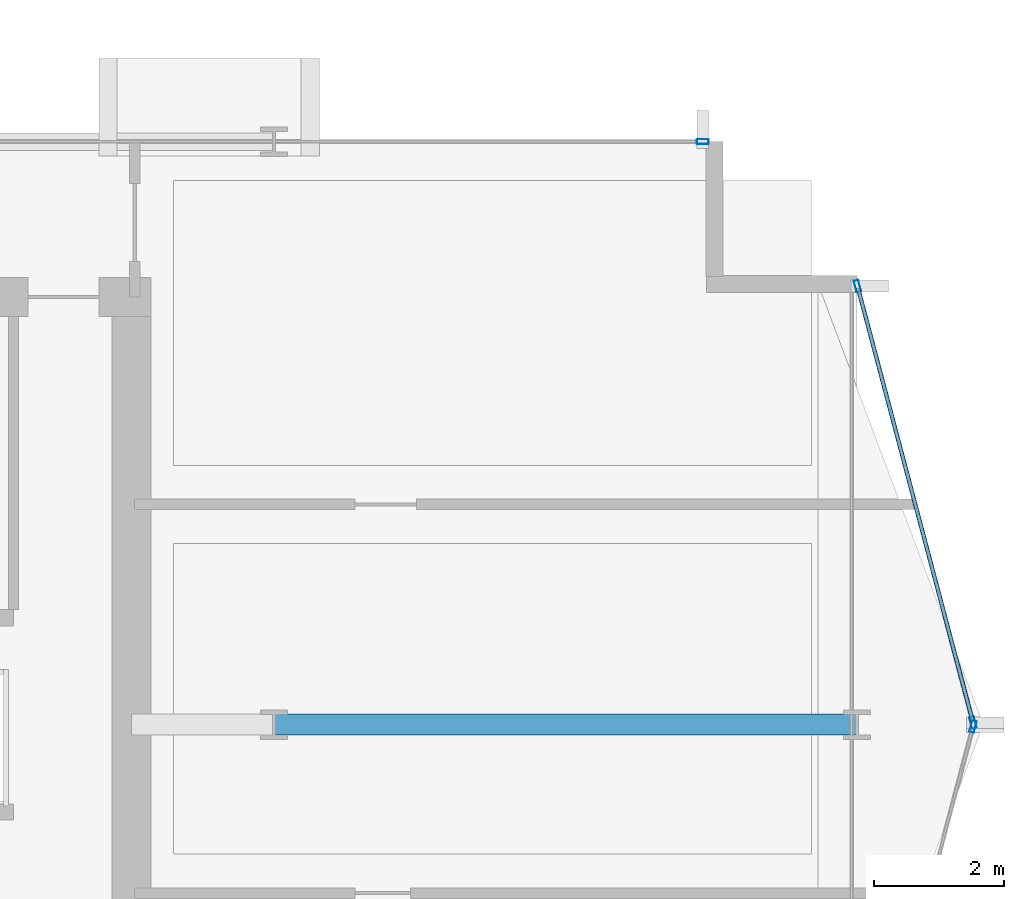
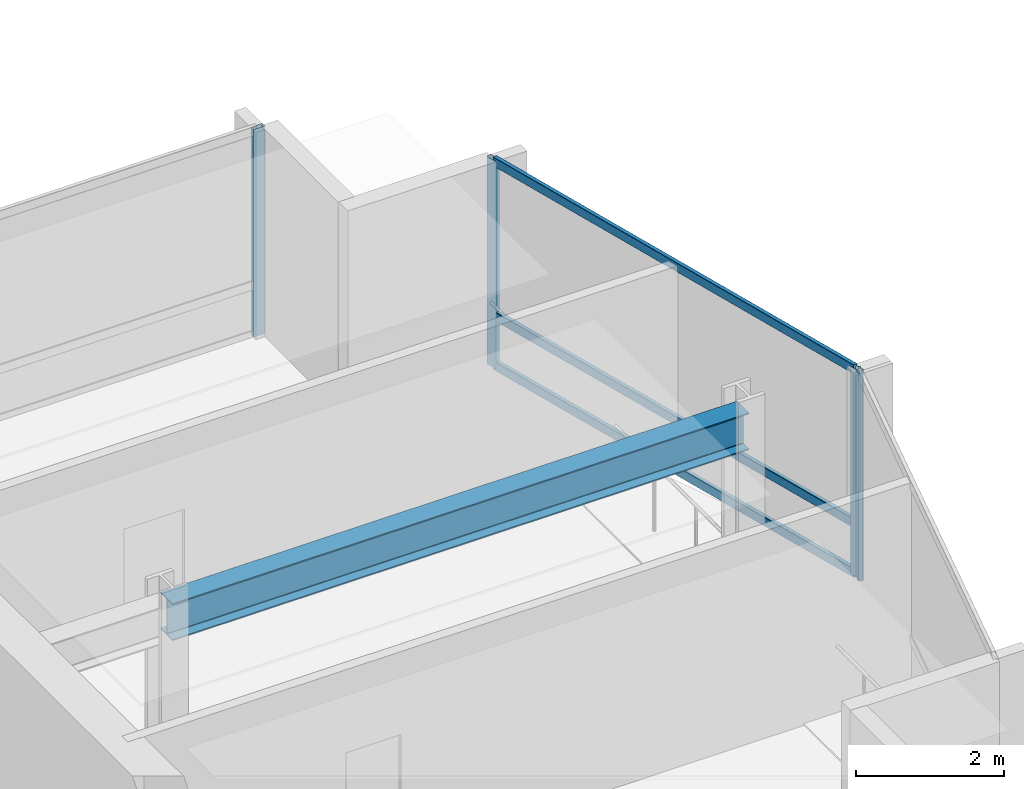
# One storey, part 14 of 29: 7 members, 1 beam, 3 elements without a shape of their own.
"""IFC4 building model written with IfcOpenShell, lengths in metres."""

from ifc_helpers import new_model, si_unit, direction, frame, origin, origin_2d, place, context, subcontext, project, spatial, hollow_rectangle, i_section, extrude, material, layer, layer_set, material_profile, profile_set, type_object, element, aggregate, save


model = new_model("IFC4")

# Units and contexts
model_context = context("Model", 3, precision=1e-05, world=origin(), true_north=direction((0.0, 1.0)))
body_context = subcontext(model_context, "Body", "Model", "MODEL_VIEW")
ifc_project = project(units=[si_unit("LENGTHUNIT", "METRE"), si_unit("AREAUNIT", "SQUARE_METRE"), si_unit("VOLUMEUNIT", "CUBIC_METRE"), si_unit("PLANEANGLEUNIT", "RADIAN"), si_unit("MASSUNIT", "GRAM", prefix="KILO")], contexts=[model_context])

# Site, building, storey
site_placement = place(None, origin())
site = spatial("IfcSite", under=ifc_project, at=site_placement, CompositionType="ELEMENT")
building_placement = place(site_placement, origin())
building = spatial("IfcBuilding", under=site, at=building_placement, Name="Solvaryn Broadcast Tower", CompositionType="ELEMENT")
storey_placement = place(building_placement, frame((0.0, 0.0, 113.699951171875)))
storey = spatial("IfcBuildingStorey", under=building, at=storey_placement, Name="L27", CompositionType="ELEMENT", Elevation=113.699951171875)

# Beam
ifc_material_1 = material(Name="Steel ASTM A992 Grade 50", Category="steel")
ifc_material_profile_1 = material_profile(ifc_material_1, i_section(OverallWidth=0.323974609375, OverallDepth=0.611083984375, WebThickness=0.0126953125, FlangeThickness=0.01904296875, FilletRadius=0.014892578125, at=origin_2d()))
ifc_profile_set_1 = profile_set([ifc_material_profile_1], Name="Steel ASTM A992 Grade 50")
beam_type = type_object("IfcBeamType", Name="BM-B1-W24X104", PredefinedType="BEAM", material=ifc_profile_set_1)
beam_placement = place(storey_placement, frame((45.0, 18.0, 3.114501953125), z_axis=(1.0, 0.0, 0.0), x_axis=(0.0, 1.0, 0.0)))
element("IfcBeam", 1, at=beam_placement, inside=storey, type_object=beam_type, Name="L27 Primary Beam X (45-54 @ Y=18)", PredefinedType="BEAM", context=body_context, shape_type="SweptSolid", body=[
    extrude(i_section(OverallWidth=0.323974609375, OverallDepth=0.611083984375, WebThickness=0.0126953125, FlangeThickness=0.01904296875, FilletRadius=0.014892578125, at=origin_2d()), origin(), (0.0, 0.0, 1.0), 9.0),
])

# Curtain wall, members
ifc_material_2 = material(Name="Aluminium and Terracotta Unitised Curtain Wall", Category="masonry")
ifc_layer = layer(ifc_material_2, 0.199951171875)
ifc_layer_set = layer_set([ifc_layer], Name="CW-SYS2-LOWMID")
curtain_wall_type = type_object("IfcCurtainWallType", Name="CW-SYS2-LOWMID", PredefinedType="NOTDEFINED", material=ifc_layer_set)
curtain_wall_1_placement = place(storey_placement, origin())
curtain_wall_1 = element("IfcCurtainWall", 2, at=curtain_wall_1_placement, inside=storey, type_object=curtain_wall_type, Name="L27 Curtain Wall ET1", PredefinedType="NOTDEFINED")
ifc_material_3 = material(Name="Anodised Aluminium 6063-T6", Category="aluminium")
ifc_material_profile_2 = material_profile(ifc_material_3, hollow_rectangle(XDim=0.074951171875, YDim=0.179931640625, WallThickness=0.00390625, InnerFilletRadius=0.00390625, OuterFilletRadius=0.008056640625, at=origin_2d()))
ifc_profile_set_2 = profile_set([ifc_material_profile_2], Name="Anodised Aluminium 6063-T6")
member_type_1 = type_object("IfcMemberType", Name="CW-MUL-180", PredefinedType="MULLION", material=ifc_profile_set_2)
member_1_placement = place(storey_placement, frame((54.007568359375, 24.77099609375, 0.0), z_axis=(0.0, 0.0, 1.0), x_axis=(0.966705227863, 0.25589256031, 0.0)))
member_1 = element("IfcMember", 3, at=member_1_placement, type_object=member_type_1, Name="CWS2 mullion 1", PredefinedType="MULLION", context=body_context, shape_type="SweptSolid", body=[
    extrude(hollow_rectangle(XDim=0.074951171875, YDim=0.179931640625, WallThickness=0.00390625, InnerFilletRadius=0.00390625, OuterFilletRadius=0.008056640625, at=origin_2d()), origin(), (0.0, 0.0, 1.0), 3.420166015625),
])
member_2_placement = place(storey_placement, frame((55.792236328125, 18.029052734375, 0.0), z_axis=(0.0, 0.0, 1.0), x_axis=(0.966705227863, 0.25589256031, 0.0)))
member_2 = element("IfcMember", 4, at=member_2_placement, type_object=member_type_1, Name="CWS2 mullion 2", PredefinedType="MULLION", context=body_context, shape_type="SweptSolid", body=[
    extrude(hollow_rectangle(XDim=0.074951171875, YDim=0.179931640625, WallThickness=0.00390625, InnerFilletRadius=0.00390625, OuterFilletRadius=0.008056640625, at=origin_2d()), origin(), (0.0, 0.0, 1.0), 3.420166015625),
])

# Curtain wall, member
curtain_wall_2_placement = place(storey_placement, origin())
curtain_wall_2 = element("IfcCurtainWall", 5, at=curtain_wall_2_placement, inside=storey, type_object=curtain_wall_type, Name="L27 Curtain Wall ET2", PredefinedType="NOTDEFINED")
member_3_placement = place(storey_placement, frame((55.792236328125, 17.970947265625, 0.0), z_axis=(0.0, 0.0, 1.0), x_axis=(0.966705227863, -0.25589256031, 0.0)))
member_3 = element("IfcMember", 6, at=member_3_placement, type_object=member_type_1, Name="CWS2 mullion 1", PredefinedType="MULLION", context=body_context, shape_type="SweptSolid", body=[
    extrude(hollow_rectangle(XDim=0.074951171875, YDim=0.179931640625, WallThickness=0.00390625, InnerFilletRadius=0.00390625, OuterFilletRadius=0.008056640625, at=origin_2d()), origin(), (0.0, 0.0, 1.0), 3.420166015625),
])
aggregate(curtain_wall_2, [member_3])

curtain_wall_3_placement = place(storey_placement, origin())
curtain_wall_3 = element("IfcCurtainWall", 7, at=curtain_wall_3_placement, inside=storey, type_object=curtain_wall_type, Name="L27 Curtain Wall IH", PredefinedType="NOTDEFINED")
member_4_placement = place(storey_placement, frame((51.6201171875, 27.0, 0.0), z_axis=(0.0, 0.0, 1.0), x_axis=(0.0, 1.0, 0.0)))
member_4 = element("IfcMember", 8, at=member_4_placement, type_object=member_type_1, Name="CWS2 mullion 2", PredefinedType="MULLION", context=body_context, shape_type="SweptSolid", body=[
    extrude(hollow_rectangle(XDim=0.074951171875, YDim=0.179931640625, WallThickness=0.00390625, InnerFilletRadius=0.00390625, OuterFilletRadius=0.008056640625, at=origin_2d()), origin(), (0.0, 0.0, 1.0), 3.420166015625),
])
aggregate(curtain_wall_3, [member_4])

# Member
ifc_material_4 = material(Name="Anodised Aluminium 6063-T6", Category="aluminium")
ifc_material_profile_3 = material_profile(ifc_material_4, hollow_rectangle(XDim=0.06494140625, YDim=0.14990234375, WallThickness=0.00390625, InnerFilletRadius=0.00390625, OuterFilletRadius=0.008056640625, at=origin_2d()))
ifc_profile_set_3 = profile_set([ifc_material_profile_3], Name="Anodised Aluminium 6063-T6")
member_type_2 = type_object("IfcMemberType", Name="CW-TRN-150", PredefinedType="USERDEFINED", material=ifc_profile_set_3)
member_5_placement = place(storey_placement, frame((54.015380859375, 24.741943359375, 0.030029296875), z_axis=(0.255897413051, -0.966703943301, 0.0), x_axis=(0.966703943301, 0.255897413051, 0.0)))
member_5 = element("IfcMember", 9, at=member_5_placement, type_object=member_type_2, Name="CWS2 transom 1.1", ObjectType="TRANSOM", PredefinedType="USERDEFINED", context=body_context, shape_type="SweptSolid", body=[
    extrude(hollow_rectangle(XDim=0.06494140625, YDim=0.14990234375, WallThickness=0.00390625, InnerFilletRadius=0.00390625, OuterFilletRadius=0.008056640625, at=origin_2d()), origin(), (0.0, 0.0, 1.0), 6.9140625),
])

member_6_placement = place(storey_placement, frame((54.015380859375, 24.741943359375, 0.85009765625), z_axis=(0.255897413051, -0.966703943301, 0.0), x_axis=(0.966703943301, 0.255897413051, 0.0)))
member_6 = element("IfcMember", 10, at=member_6_placement, type_object=member_type_2, Name="CWS2 transom 1.2", ObjectType="TRANSOM", PredefinedType="USERDEFINED", context=body_context, shape_type="SweptSolid", body=[
    extrude(hollow_rectangle(XDim=0.06494140625, YDim=0.14990234375, WallThickness=0.00390625, InnerFilletRadius=0.00390625, OuterFilletRadius=0.008056640625, at=origin_2d()), origin(), (0.0, 0.0, 1.0), 6.9140625),
])

member_7_placement = place(storey_placement, frame((54.015380859375, 24.741943359375, 3.39013671875), z_axis=(0.255897413051, -0.966703943301, 0.0), x_axis=(0.966703943301, 0.255897413051, 0.0)))
member_7 = element("IfcMember", 11, at=member_7_placement, type_object=member_type_2, Name="CWS2 transom 1.3", ObjectType="TRANSOM", PredefinedType="USERDEFINED", context=body_context, shape_type="SweptSolid", body=[
    extrude(hollow_rectangle(XDim=0.06494140625, YDim=0.14990234375, WallThickness=0.00390625, InnerFilletRadius=0.00390625, OuterFilletRadius=0.008056640625, at=origin_2d()), origin(), (0.0, 0.0, 1.0), 6.9140625),
])

aggregate(curtain_wall_1, [member_1, member_2, member_5, member_6, member_7])

save(model, "model.ifc")
